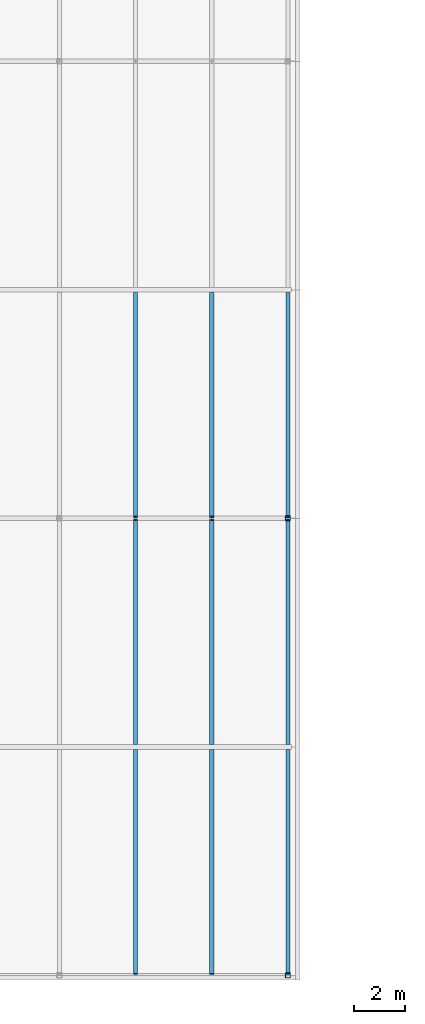
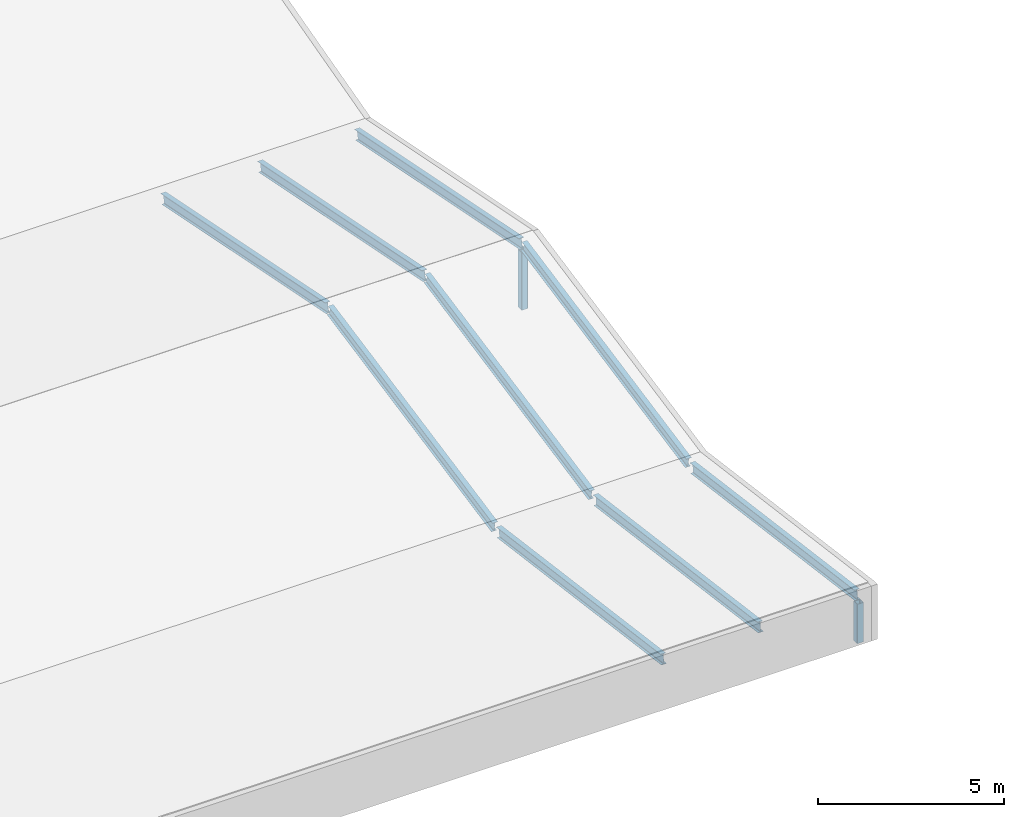
# One storey, part 11 of 29: 11 members.
"""IFC4 building model written with IfcOpenShell, lengths in metres."""

from ifc_helpers import new_model, si_unit, direction, frame, origin, origin_2d, place, context, subcontext, project, spatial, hollow_rectangle, i_section, extrude, material, material_profile, profile_set, type_object, element, save


model = new_model("IFC4")

# Units and contexts
model_context = context("Model", 3, precision=1e-05, world=origin(), true_north=direction((0.0, 1.0)))
body_context = subcontext(model_context, "Body", "Model", "MODEL_VIEW")
ifc_project = project(units=[si_unit("LENGTHUNIT", "METRE"), si_unit("AREAUNIT", "SQUARE_METRE"), si_unit("VOLUMEUNIT", "CUBIC_METRE"), si_unit("PLANEANGLEUNIT", "RADIAN"), si_unit("MASSUNIT", "GRAM", prefix="KILO")], contexts=[model_context])

# Site, building, storey
site_placement = place(None, origin())
site = spatial("IfcSite", under=ifc_project, at=site_placement, CompositionType="ELEMENT")
building_placement = place(site_placement, origin())
building = spatial("IfcBuilding", under=site, at=building_placement, Name="Azimuth Sports and Learning Centre", CompositionType="ELEMENT")
storey_placement = place(building_placement, frame((0.0, 0.0, 27.0)))
storey = spatial("IfcBuildingStorey", under=building, at=storey_placement, Name="L05", CompositionType="ELEMENT", Elevation=27.0)

# Members
ifc_material_1 = material(Name="Steel S355", Category="steel")
ifc_material_profile_1 = material_profile(ifc_material_1, i_section(OverallWidth=0.159912109375, OverallDepth=0.330078125, WebThickness=0.007568359375, FlangeThickness=0.011474609375, FilletRadius=0.01806640625, at=origin_2d()), Name="IPE 330")
ifc_profile_set_1 = profile_set([ifc_material_profile_1], Name="Steel S355")
member_type_1 = type_object("IfcMemberType", Name="Rafter IPE 330", PredefinedType="RAFTER", material=ifc_profile_set_1)
for number, where, z_axis, x_axis, name in (
    (1, (93.0, 0.063232421875, 1.473876953125), (0.0, 0.991227661054, -0.132165517294), (-1.0, 0.0, 0.0), "Rafter FOLD01 8"),
    (2, (96.0, 0.063232421875, 1.473876953125), (0.0, 0.991227661054, -0.132165517294), (-1.0, 0.0, 0.0), "Rafter FOLD01 9"),
    (3, (99.0, 0.063232421875, 1.473876953125), (0.0, 0.991227661054, -0.132165517294), (-1.0, 0.0, 0.0), "Rafter FOLD01 10"),
):
    element("IfcMember", number, at=place(storey_placement, frame(where, z_axis=z_axis, x_axis=x_axis)), inside=storey, type_object=member_type_1, Name=name, PredefinedType="RAFTER", context=body_context, shape_type="SweptSolid", body=[
        extrude(i_section(OverallWidth=0.159912109375, OverallDepth=0.330078125, WebThickness=0.007568359375, FlangeThickness=0.011474609375, FilletRadius=0.01806640625, at=origin_2d()), origin(), (0.0, 0.0, 1.0), 8.898193359375),
    ])
for number, where, z_axis, x_axis, name in (
    (4, (93.0, 9.12744140625, 0.30419921875), (0.0, 0.980581719653, 0.196110915255), (-1.0, 0.0, 0.0), "Rafter FOLD02 18"),
    (5, (96.0, 9.12744140625, 0.30419921875), (0.0, 0.980581719653, 0.196110915255), (-1.0, 0.0, 0.0), "Rafter FOLD02 19"),
    (6, (99.0, 9.12744140625, 0.30419921875), (0.0, 0.980581719653, 0.196110915255), (-1.0, 0.0, 0.0), "Rafter FOLD02 20"),
    (7, (93.0, 18.052734375, 2.068115234375), (0.0, 0.980581719653, -0.196110915255), (-1.0, 0.0, 0.0), "Rafter FOLD03 28"),
    (8, (96.0, 18.052734375, 2.068115234375), (0.0, 0.980581719653, -0.196110915255), (-1.0, 0.0, 0.0), "Rafter FOLD03 29"),
    (9, (99.0, 18.052734375, 2.068115234375), (0.0, 0.980581719653, -0.196110915255), (-1.0, 0.0, 0.0), "Rafter FOLD03 30"),
):
    element("IfcMember", number, at=place(storey_placement, frame(where, z_axis=z_axis, x_axis=x_axis)), inside=storey, type_object=member_type_1, Name=name, PredefinedType="RAFTER", context=body_context, shape_type="SweptSolid", body=[
        extrude(i_section(OverallWidth=0.159912109375, OverallDepth=0.330078125, WebThickness=0.007568359375, FlangeThickness=0.011474609375, FilletRadius=0.01806640625, at=origin_2d()), origin(), (0.0, 0.0, 1.0), 8.994384765625),
    ])
ifc_material_2 = material(Name="Steel S355", Category="steel")
ifc_material_profile_2 = material_profile(ifc_material_2, hollow_rectangle(XDim=0.199951171875, YDim=0.199951171875, WallThickness=0.010009765625, InnerFilletRadius=0.010009765625, OuterFilletRadius=0.014892578125, at=origin_2d()), Name="SHS 200x200x10.0")
ifc_profile_set_2 = profile_set([ifc_material_profile_2], Name="Steel S355")
member_type_2 = type_object("IfcMemberType", Name="Truss post SHS 200x200x10.0", PredefinedType="POST", material=ifc_profile_set_2)
member_1_placement = place(storey_placement, frame((99.0, 0.0, 0.0), z_axis=(0.0, 0.0, 1.0), x_axis=(1.0, 0.0, 0.0)))
element("IfcMember", 10, at=member_1_placement, inside=storey, type_object=member_type_2, Name="Ridge post 12A", PredefinedType="POST", context=body_context, shape_type="SweptSolid", body=[
    extrude(hollow_rectangle(XDim=0.199951171875, YDim=0.199951171875, WallThickness=0.010009765625, InnerFilletRadius=0.010009765625, OuterFilletRadius=0.014892578125, at=origin_2d()), origin(), (0.0, 0.0, 1.0), 1.288818359375),
])
member_2_placement = place(storey_placement, frame((99.0, 18.0, 0.0), z_axis=(0.0, 0.0, 1.0), x_axis=(1.0, 0.0, 0.0)))
element("IfcMember", 11, at=member_2_placement, inside=storey, type_object=member_type_2, Name="Ridge post 12C", PredefinedType="POST", context=body_context, shape_type="SweptSolid", body=[
    extrude(hollow_rectangle(XDim=0.199951171875, YDim=0.199951171875, WallThickness=0.010009765625, InnerFilletRadius=0.010009765625, OuterFilletRadius=0.014892578125, at=origin_2d()), origin(), (0.0, 0.0, 1.0), 1.886962890625),
])

save(model, "model.ifc")
